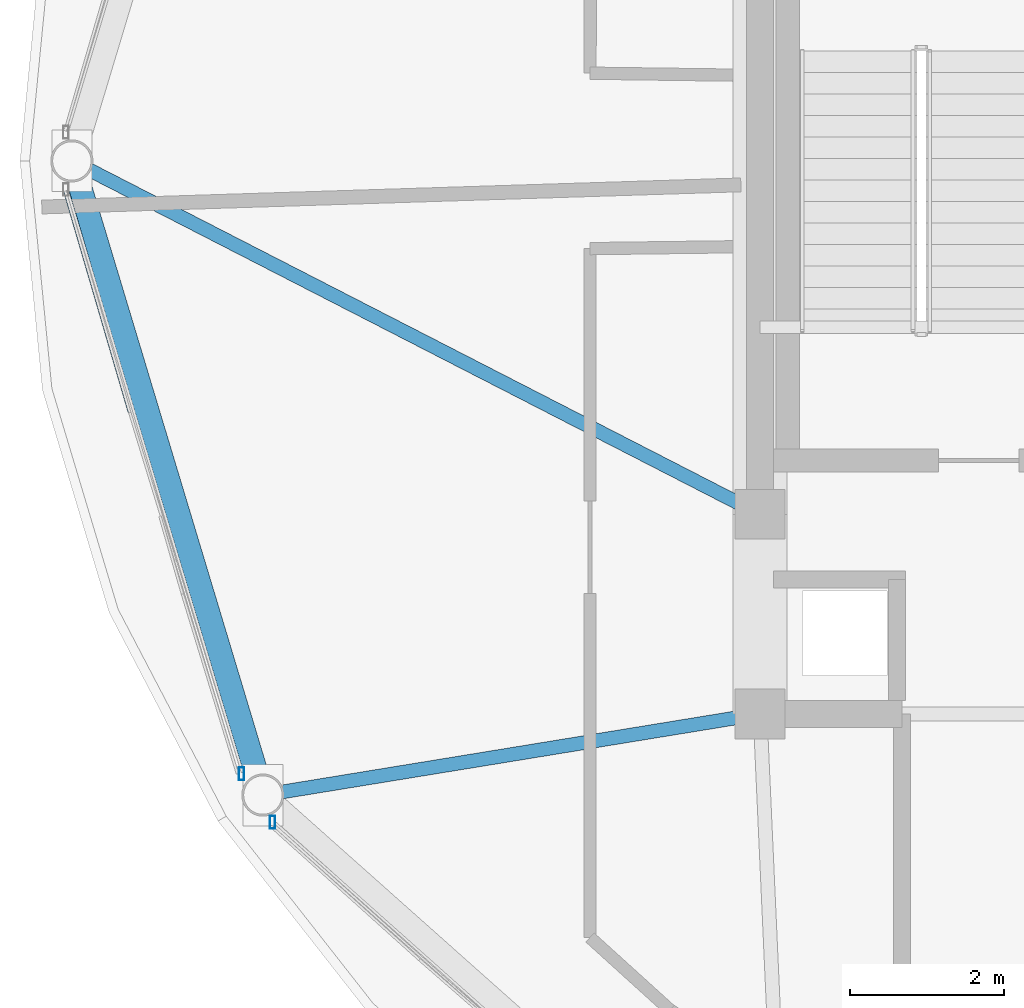
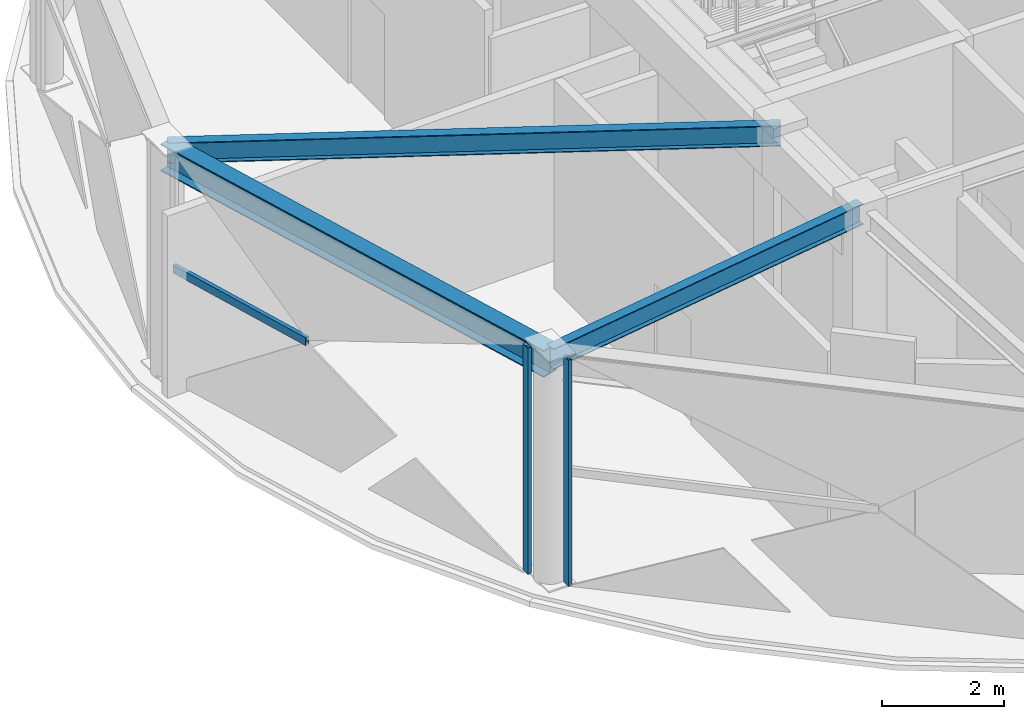
# One storey, part 3 of 22: 3 beams, 3 members, 2 elements without a shape of their own.
"""IFC4 building model written with IfcOpenShell, lengths in metres."""

from ifc_helpers import new_model, si_unit, direction, frame, origin, origin_2d, place, context, subcontext, project, spatial, hollow_rectangle, i_section, extrude, material, layer, layer_set, material_profile, profile_set, type_object, element, aggregate, save


model = new_model("IFC4")

# Units and contexts
model_context = context("Model", 3, precision=1e-05, world=origin(), true_north=direction((0.0, 1.0)))
body_context = subcontext(model_context, "Body", "Model", "MODEL_VIEW")
ifc_project = project(units=[si_unit("LENGTHUNIT", "METRE"), si_unit("AREAUNIT", "SQUARE_METRE"), si_unit("VOLUMEUNIT", "CUBIC_METRE"), si_unit("PLANEANGLEUNIT", "RADIAN"), si_unit("MASSUNIT", "GRAM", prefix="KILO")], contexts=[model_context])

# Site, building, storey
site_placement = place(None, origin())
site = spatial("IfcSite", under=ifc_project, at=site_placement, CompositionType="ELEMENT")
building_placement = place(site_placement, origin())
building = spatial("IfcBuilding", under=site, at=building_placement, Name="Vantalir Tower", CompositionType="ELEMENT")
storey_placement = place(building_placement, frame((0.0, 0.0, 294.89990234375)))
storey = spatial("IfcBuildingStorey", under=building, at=storey_placement, Name="L74", CompositionType="ELEMENT", Elevation=294.89990234375)

# Beams
ifc_material_1 = material(Name="Steel S355", Category="steel")
ifc_material_profile_1 = material_profile(ifc_material_1, i_section(OverallWidth=0.179931640625, OverallDepth=0.4130859375, WebThickness=0.009521484375, FlangeThickness=0.01611328125, at=origin_2d()), Name="Steel S355")
ifc_profile_set_1 = profile_set([ifc_material_profile_1], Name="Steel S355")
beam_type_1 = type_object("IfcBeamType", Name="BM-RB-406x178", PredefinedType="BEAM", material=ifc_profile_set_1)
beam_1_placement = place(storey_placement, frame((12.93994140625, 25.0, 4.4140625), z_axis=(0.8896058829, -0.456728993068, 0.0), x_axis=(0.456728993068, 0.8896058829, 0.0)))
element("IfcBeam", 1, at=beam_1_placement, inside=storey, type_object=beam_type_1, Name="L74 Radial Floor Beam 07", PredefinedType="BEAM", context=body_context, shape_type="SweptSolid", body=[
    extrude(i_section(OverallWidth=0.179931640625, OverallDepth=0.4130859375, WebThickness=0.009521484375, FlangeThickness=0.01611328125, at=origin_2d()), origin(), (0.0, 0.0, 1.0), 10.07177734375),
])
beam_2_placement = place(storey_placement, frame((15.427001953125, 16.743896484375, 4.4140625), z_axis=(0.986948581599, 0.161035701882, 0.0), x_axis=(-0.161035701882, 0.986948581599, 0.0)))
element("IfcBeam", 2, at=beam_2_placement, inside=storey, type_object=beam_type_1, Name="L74 Radial Floor Beam 08", PredefinedType="BEAM", context=body_context, shape_type="SweptSolid", body=[
    extrude(i_section(OverallWidth=0.179931640625, OverallDepth=0.4130859375, WebThickness=0.009521484375, FlangeThickness=0.01611328125, at=origin_2d()), origin(), (0.0, 0.0, 1.0), 6.55859375),
])
ifc_material_2 = material(Name="Steel S460", Category="steel")
ifc_material_profile_2 = material_profile(ifc_material_2, i_section(OverallWidth=0.31201171875, OverallDepth=0.5419921875, WebThickness=0.0126953125, FlangeThickness=0.020263671875, at=origin_2d()), Name="Steel S460")
ifc_profile_set_2 = profile_set([ifc_material_profile_2], Name="Steel S460")
beam_type_2 = type_object("IfcBeamType", Name="BM-RG-533x312", PredefinedType="USERDEFINED", material=ifc_profile_set_2)
beam_3_placement = place(storey_placement, frame((12.93994140625, 25.0, 4.34912109375), z_axis=(0.288436105836, -0.957499145091, 0.0), x_axis=(0.957499145091, 0.288436105836, 0.0)))
element("IfcBeam", 3, at=beam_3_placement, inside=storey, type_object=beam_type_2, Name="L74 Circumferential Ring Girder 07", ObjectType="GIRDER", PredefinedType="USERDEFINED", context=body_context, shape_type="SweptSolid", body=[
    extrude(i_section(OverallWidth=0.31201171875, OverallDepth=0.5419921875, WebThickness=0.0126953125, FlangeThickness=0.020263671875, at=origin_2d()), origin(), (0.0, 0.0, 1.0), 8.62255859375),
])

# Curtain wall, member
ifc_material_3 = material(Name="Champagne-silver PVDF aluminium and double-silver Low-E glass", Category="aluminium")
ifc_layer = layer(ifc_material_3, 0.219970703125)
ifc_layer_set = layer_set([ifc_layer], Name="Champagne-silver PVDF aluminium and double-silver Low-E glass")
curtain_wall_type = type_object("IfcCurtainWallType", Name="CW-DIAMOND-Z4", PredefinedType="USERDEFINED", material=ifc_layer_set)
curtain_wall_1_placement = place(storey_placement, origin())
curtain_wall_1 = element("IfcCurtainWall", 4, at=curtain_wall_1_placement, inside=storey, type_object=curtain_wall_type, Name="L74 Quilted Pyramid-Diamond Curtain Wall S07", ObjectType="UNITISED CURTAIN WALL", PredefinedType="USERDEFINED")
ifc_material_4 = material(Name="Champagne-silver PVDF aluminium 6063-T6", Category="aluminium")
ifc_material_profile_3 = material_profile(ifc_material_4, hollow_rectangle(XDim=0.070068359375, YDim=0.1650390625, WallThickness=0.00390625, at=origin_2d()), Name="Champagne-silver PVDF aluminium 6063-T6")
ifc_profile_set_3 = profile_set([ifc_material_profile_3], Name="Champagne-silver PVDF aluminium 6063-T6")
member_type_1 = type_object("IfcMemberType", Name="CWM-165x70", PredefinedType="MULLION", material=ifc_profile_set_3)
member_1_placement = place(storey_placement, frame((15.14990234375, 17.02197265625, 0.045166015625), z_axis=(0.0, 0.0, 1.0), x_axis=(1.0, 0.0, 0.0)))
member_1 = element("IfcMember", 5, at=member_1_placement, type_object=member_type_1, Name="CW-L74-S07 Mullion 2", PredefinedType="MULLION", context=body_context, shape_type="SweptSolid", body=[
    extrude(hollow_rectangle(XDim=0.070068359375, YDim=0.1650390625, WallThickness=0.00390625, at=origin_2d()), origin(), (0.0, 0.0, 1.0), 4.530029296875),
])

curtain_wall_2_placement = place(storey_placement, origin())
curtain_wall_2 = element("IfcCurtainWall", 6, at=curtain_wall_2_placement, inside=storey, type_object=curtain_wall_type, Name="L74 Quilted Pyramid-Diamond Curtain Wall S08", ObjectType="UNITISED CURTAIN WALL", PredefinedType="USERDEFINED")
member_2_placement = place(storey_placement, frame((15.552978515625, 16.389892578125, 0.045166015625), z_axis=(0.0, 0.0, 1.0), x_axis=(1.0, 0.0, 0.0)))
member_2 = element("IfcMember", 7, at=member_2_placement, type_object=member_type_1, Name="CW-L74-S08 Mullion 1", PredefinedType="MULLION", context=body_context, shape_type="SweptSolid", body=[
    extrude(hollow_rectangle(XDim=0.070068359375, YDim=0.1650390625, WallThickness=0.00390625, at=origin_2d()), origin(), (0.0, 0.0, 1.0), 4.530029296875),
])
aggregate(curtain_wall_2, [member_2])

# Member
ifc_material_profile_4 = material_profile(ifc_material_4, hollow_rectangle(XDim=0.074951171875, YDim=0.159912109375, WallThickness=0.00390625, at=origin_2d()), Name="Champagne-silver PVDF aluminium 6063-T6")
ifc_profile_set_4 = profile_set([ifc_material_profile_4], Name="Champagne-silver PVDF aluminium 6063-T6")
member_type_2 = type_object("IfcMemberType", Name="CWT-160x75", PredefinedType="USERDEFINED", material=ifc_profile_set_4)
member_3_placement = place(storey_placement, frame((12.862060546875, 24.626953125, 2.31005859375), z_axis=(0.280565844159, -0.959834781143, 0.0), x_axis=(0.959834781143, 0.280565844159, 0.0)))
member_3 = element("IfcMember", 8, at=member_3_placement, type_object=member_type_2, Name="CW-L74-S07 Pyramid Fold Ridge Transom", ObjectType="TRANSOM", PredefinedType="USERDEFINED", context=body_context, shape_type="SweptSolid", body=[
    extrude(hollow_rectangle(XDim=0.074951171875, YDim=0.159912109375, WallThickness=0.00390625, at=origin_2d()), origin(), (0.0, 0.0, 1.0), 3.01513671875),
])

aggregate(curtain_wall_1, [member_1, member_3])

save(model, "model.ifc")
